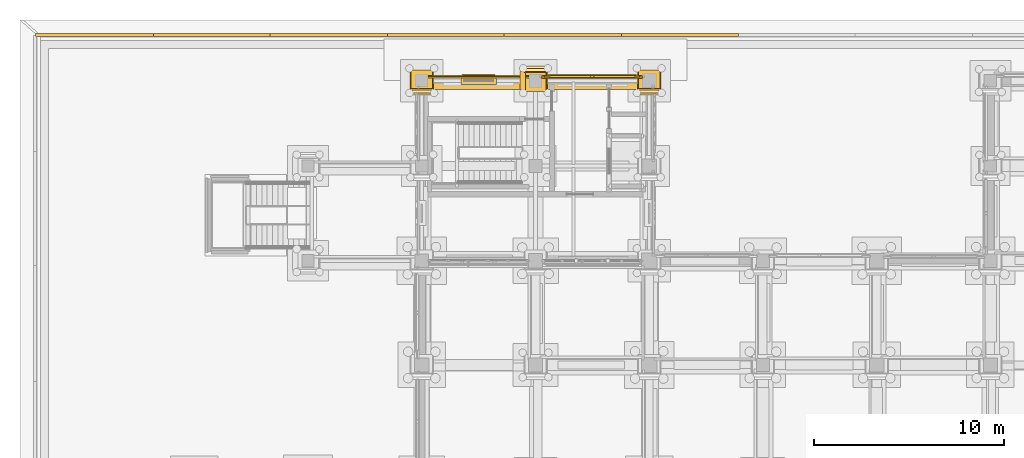
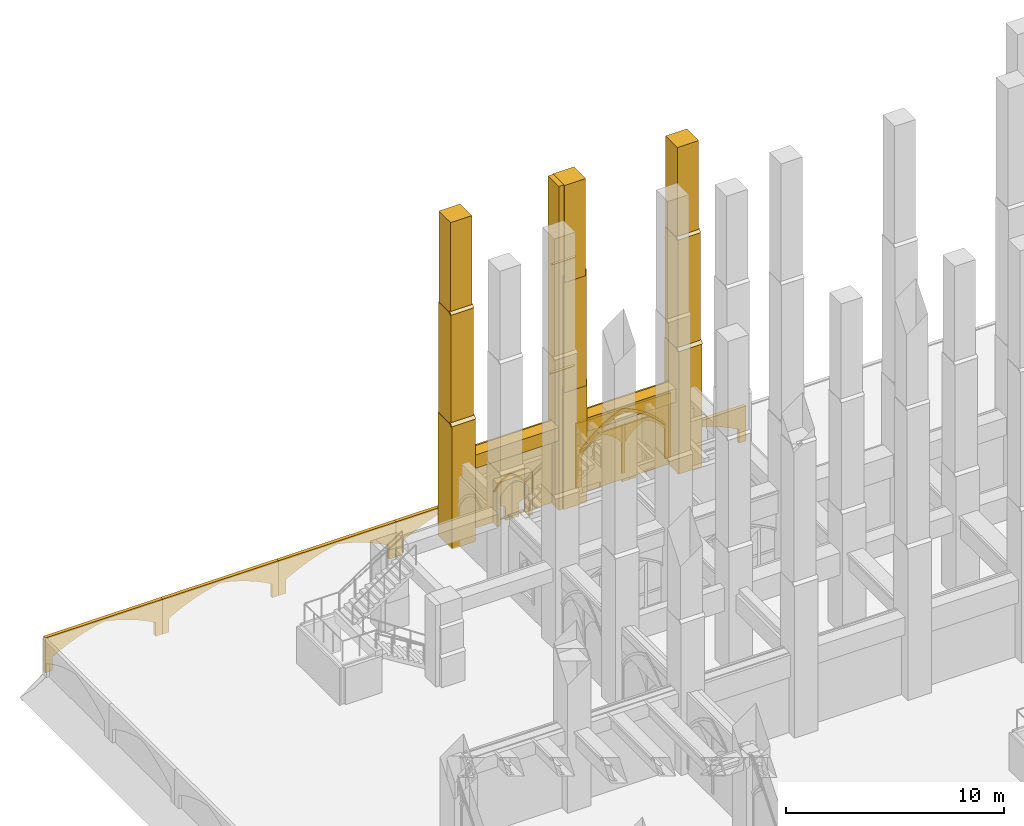
# One storey, part 121 of 135: 35 coverings.
"""IFC4 building model written with IfcOpenShell, lengths in metres."""

from ifc_helpers import new_model, si_unit, direction, frame, origin, origin_2d, place, context, subcontext, project, spatial, polyline, rectangle, outline, extrude, material, type_object, element, save


model = new_model("IFC4")

# Units and contexts
model_context = context("Model", 3, precision=1e-05, world=origin(), true_north=direction((0.0, 1.0)))
body_context = subcontext(model_context, "Body", "Model", "MODEL_VIEW")
ifc_project = project(units=[si_unit("LENGTHUNIT", "METRE"), si_unit("AREAUNIT", "SQUARE_METRE"), si_unit("VOLUMEUNIT", "CUBIC_METRE"), si_unit("PLANEANGLEUNIT", "RADIAN"), si_unit("MASSUNIT", "GRAM", prefix="KILO")], contexts=[model_context])

# Site, building, storey
site_placement = place(None, origin())
site = spatial("IfcSite", under=ifc_project, at=site_placement, CompositionType="ELEMENT")
building_placement = place(site_placement, origin())
building = spatial("IfcBuilding", under=site, at=building_placement, Name="Cumevento Cable Car Station", CompositionType="ELEMENT")
storey_placement = place(building_placement, origin())
storey = spatial("IfcBuildingStorey", under=building, at=storey_placement, Name="L01", CompositionType="ELEMENT", Elevation=0.0)

# Coverings
ifc_material = material(Name="Gnaisse Facoidal Stone Ashlar 85 MPa", Category="masonry")
covering_type = type_object("IfcCoveringType", Name="Gnaisse Ashlar Cladding CV-CL01", PredefinedType="CLADDING", material=ifc_material)
covering_1_placement = place(storey_placement, frame((22.0, 65.909912109375, -0.06005859375), z_axis=(0.0, 0.0, 1.0), x_axis=(1.0, 0.0, 0.0)))
element("IfcCovering", 1, at=covering_1_placement, inside=storey, type_object=covering_type, Name="Stepped Gothic Stone Buttress Tier 1 bt:22.0:66.0", PredefinedType="CLADDING", context=body_context, shape_type="SweptSolid", body=[
    extrude(rectangle(XDim=1.239990234375, YDim=1.300048828125, at=origin_2d()), origin(), (0.0, 0.0, 1.0), 6.885498046875),
])
covering_2_placement = place(storey_placement, frame((21.360107421875, 65.239990234375, 6.8056640625), z_axis=(0.0, -0.711135781079, 0.703054692658), x_axis=(1.0, 0.0, 0.0)))
element("IfcCovering", 2, at=covering_2_placement, inside=storey, type_object=covering_type, Name="Gothic Buttress Sloped Stone Weathering 1 bt:22.0:66.0", PredefinedType="CLADDING", context=body_context, shape_type="SweptSolid", body=[
    extrude(outline(polyline([(0.0, 0.0), (1.27978515625, 0.0), (1.27978515625, 0.24169083397703695), (0.0, 0.24169083397703695), (0.0, 0.0)])), origin(), (0.0, 0.0, -1.0), 0.090087890625),
])
covering_3_placement = place(storey_placement, frame((22.0, 65.969970703125, 6.46337890625), z_axis=(0.0, 0.0, 1.0), x_axis=(1.0, 0.0, 0.0)))
element("IfcCovering", 3, at=covering_3_placement, inside=storey, type_object=covering_type, Name="Stepped Gothic Stone Buttress Tier 2 bt:22.0:66.0", PredefinedType="CLADDING", context=body_context, shape_type="SweptSolid", body=[
    extrude(rectangle(XDim=1.179931640625, YDim=1.179931640625, at=origin_2d()), origin(), (0.0, 0.0, 1.0), 6.523193359375),
])
covering_4_placement = place(storey_placement, frame((21.389892578125, 65.360107421875, 12.96630859375), z_axis=(0.0, -0.714474823669, 0.699661151089), x_axis=(1.0, 0.0, 0.0)))
element("IfcCovering", 4, at=covering_4_placement, inside=storey, type_object=covering_type, Name="Gothic Buttress Sloped Stone Weathering 2 bt:22.0:66.0", PredefinedType="CLADDING", context=body_context, shape_type="SweptSolid", body=[
    extrude(outline(polyline([(0.0, 0.0), (1.22021484375, 0.0), (1.22021484375, 0.21424991728737655), (0.0, 0.21424991728737655), (0.0, 0.0)])), origin(), (0.0, 0.0, -1.0), 0.090087890625),
])
covering_5_placement = place(storey_placement, frame((22.0, 66.02001953125, 12.6240234375), z_axis=(0.0, 0.0, 1.0), x_axis=(1.0, 0.0, 0.0)))
element("IfcCovering", 5, at=covering_5_placement, inside=storey, type_object=covering_type, Name="Stepped Gothic Stone Buttress Tier 3 bt:22.0:66.0", PredefinedType="CLADDING", context=body_context, shape_type="SweptSolid", body=[
    extrude(rectangle(XDim=1.1201171875, YDim=1.080078125, at=origin_2d()), origin(), (0.0, 0.0, 1.0), 5.43603515625),
])
covering_6_placement = place(storey_placement, frame((28.0, 66.090087890625, -0.06005859375), z_axis=(0.0, 0.0, 1.0), x_axis=(-1.0, 0.0, 0.0)))
element("IfcCovering", 6, at=covering_6_placement, inside=storey, type_object=covering_type, Name="Stepped Gothic Stone Buttress Tier 1 bt:28.0:66.0", PredefinedType="CLADDING", context=body_context, shape_type="SweptSolid", body=[
    extrude(rectangle(XDim=1.239990234375, YDim=1.300048828125, at=origin_2d()), origin(), (0.0, 0.0, 1.0), 6.885498046875),
])
covering_7_placement = place(storey_placement, frame((28.639892578125, 66.760009765625, 6.8056640625), z_axis=(0.0, 0.711135781079, 0.703054692658), x_axis=(-1.0, 0.0, 0.0)))
element("IfcCovering", 7, at=covering_7_placement, inside=storey, type_object=covering_type, Name="Gothic Buttress Sloped Stone Weathering 1 bt:28.0:66.0", PredefinedType="CLADDING", context=body_context, shape_type="SweptSolid", body=[
    extrude(outline(polyline([(0.0, 0.0), (1.27978515625, 0.0), (1.27978515625, 0.24169083397703695), (0.0, 0.24169083397703695), (0.0, 0.0)])), origin(), (0.0, 0.0, -1.0), 0.090087890625),
])
covering_8_placement = place(storey_placement, frame((28.0, 66.030029296875, 6.46337890625), z_axis=(0.0, 0.0, 1.0), x_axis=(-1.0, 0.0, 0.0)))
element("IfcCovering", 8, at=covering_8_placement, inside=storey, type_object=covering_type, Name="Stepped Gothic Stone Buttress Tier 2 bt:28.0:66.0", PredefinedType="CLADDING", context=body_context, shape_type="SweptSolid", body=[
    extrude(rectangle(XDim=1.179931640625, YDim=1.179931640625, at=origin_2d()), origin(), (0.0, 0.0, 1.0), 6.523193359375),
])
covering_9_placement = place(storey_placement, frame((28.610107421875, 66.639892578125, 12.96630859375), z_axis=(0.0, 0.714474823669, 0.699661151089), x_axis=(-1.0, 0.0, 0.0)))
element("IfcCovering", 9, at=covering_9_placement, inside=storey, type_object=covering_type, Name="Gothic Buttress Sloped Stone Weathering 2 bt:28.0:66.0", PredefinedType="CLADDING", context=body_context, shape_type="SweptSolid", body=[
    extrude(outline(polyline([(0.0, 0.0), (1.22021484375, 0.0), (1.22021484375, 0.21424991728737655), (0.0, 0.21424991728737655), (0.0, 0.0)])), origin(), (0.0, 0.0, -1.0), 0.090087890625),
])
covering_10_placement = place(storey_placement, frame((28.0, 65.97998046875, 12.6240234375), z_axis=(0.0, 0.0, 1.0), x_axis=(-1.0, 0.0, 0.0)))
element("IfcCovering", 10, at=covering_10_placement, inside=storey, type_object=covering_type, Name="Stepped Gothic Stone Buttress Tier 3 bt:28.0:66.0", PredefinedType="CLADDING", context=body_context, shape_type="SweptSolid", body=[
    extrude(rectangle(XDim=1.1201171875, YDim=1.080078125, at=origin_2d()), origin(), (0.0, 0.0, 1.0), 5.43603515625),
])
covering_11_placement = place(storey_placement, frame((27.320068359375, 66.0, -0.06005859375), z_axis=(0.0, 0.0, 1.0), x_axis=(1.0, 0.0, 0.0)))
element("IfcCovering", 11, at=covering_11_placement, inside=storey, type_object=covering_type, Name="Corner Buttress Stone Return (28.0,66.0)", PredefinedType="CLADDING", context=body_context, shape_type="SweptSolid", body=[
    extrude(rectangle(XDim=0.280029296875, YDim=0.97998046875, at=origin_2d()), origin(), (0.0, 0.0, 1.0), 18.1201171875),
])
covering_12_placement = place(storey_placement, frame((34.0, 65.909912109375, -0.06005859375), z_axis=(0.0, 0.0, 1.0), x_axis=(1.0, 0.0, 0.0)))
element("IfcCovering", 12, at=covering_12_placement, inside=storey, type_object=covering_type, Name="Stepped Gothic Stone Buttress Tier 1 bt:34.0:66.0", PredefinedType="CLADDING", context=body_context, shape_type="SweptSolid", body=[
    extrude(rectangle(XDim=1.239990234375, YDim=1.300048828125, at=origin_2d()), origin(), (0.0, 0.0, 1.0), 6.885498046875),
])
covering_13_placement = place(storey_placement, frame((33.360107421875, 65.239990234375, 6.8056640625), z_axis=(0.0, -0.711135781079, 0.703054692658), x_axis=(1.0, 0.0, 0.0)))
element("IfcCovering", 13, at=covering_13_placement, inside=storey, type_object=covering_type, Name="Gothic Buttress Sloped Stone Weathering 1 bt:34.0:66.0", PredefinedType="CLADDING", context=body_context, shape_type="SweptSolid", body=[
    extrude(outline(polyline([(0.0, 0.0), (1.27978515625, 0.0), (1.27978515625, 0.24169083397703695), (0.0, 0.24169083397703695), (0.0, 0.0)])), origin(), (0.0, 0.0, -1.0), 0.090087890625),
])
covering_14_placement = place(storey_placement, frame((34.0, 65.969970703125, 6.46337890625), z_axis=(0.0, 0.0, 1.0), x_axis=(1.0, 0.0, 0.0)))
element("IfcCovering", 14, at=covering_14_placement, inside=storey, type_object=covering_type, Name="Stepped Gothic Stone Buttress Tier 2 bt:34.0:66.0", PredefinedType="CLADDING", context=body_context, shape_type="SweptSolid", body=[
    extrude(rectangle(XDim=1.179931640625, YDim=1.179931640625, at=origin_2d()), origin(), (0.0, 0.0, 1.0), 6.523193359375),
])
covering_15_placement = place(storey_placement, frame((33.389892578125, 65.360107421875, 12.96630859375), z_axis=(0.0, -0.714474823669, 0.699661151089), x_axis=(1.0, 0.0, 0.0)))
element("IfcCovering", 15, at=covering_15_placement, inside=storey, type_object=covering_type, Name="Gothic Buttress Sloped Stone Weathering 2 bt:34.0:66.0", PredefinedType="CLADDING", context=body_context, shape_type="SweptSolid", body=[
    extrude(outline(polyline([(0.0, 0.0), (1.22021484375, 0.0), (1.22021484375, 0.21424991728737655), (0.0, 0.21424991728737655), (0.0, 0.0)])), origin(), (0.0, 0.0, -1.0), 0.090087890625),
])
covering_16_placement = place(storey_placement, frame((34.0, 66.02001953125, 12.6240234375), z_axis=(0.0, 0.0, 1.0), x_axis=(1.0, 0.0, 0.0)))
element("IfcCovering", 16, at=covering_16_placement, inside=storey, type_object=covering_type, Name="Stepped Gothic Stone Buttress Tier 3 bt:34.0:66.0", PredefinedType="CLADDING", context=body_context, shape_type="SweptSolid", body=[
    extrude(rectangle(XDim=1.1201171875, YDim=1.080078125, at=origin_2d()), origin(), (0.0, 0.0, 1.0), 5.43603515625),
])
covering_17_placement = place(storey_placement, frame((24.987548828125, 65.85009765625, 3.821044921875), z_axis=(0.0, 0.0, 1.0), x_axis=(1.0, 0.0, 0.0)))
element("IfcCovering", 17, at=covering_17_placement, inside=storey, type_object=covering_type, Name="Gothic Stone Spandrel Stringcourse sc:0103", PredefinedType="CLADDING", context=body_context, shape_type="SweptSolid", body=[
    extrude(rectangle(XDim=5.56494140625, YDim=0.659912109375, at=origin_2d()), origin(), (0.0, 0.0, 1.0), 0.7470703125),
])
covering_18_placement = place(storey_placement, frame((24.987548828125, 66.20751953125, 4.43798828125), z_axis=(0.0, 0.0, 1.0), x_axis=(1.0, 0.0, 0.0)))
element("IfcCovering", 18, at=covering_18_placement, inside=storey, type_object=covering_type, Name="Gothic Cornice Dripstone Lip sc:0103", PredefinedType="CLADDING", context=body_context, shape_type="SweptSolid", body=[
    extrude(rectangle(XDim=5.60498046875, YDim=0.114990234375, at=origin_2d()), origin(), (0.0, 0.0, 1.0), 0.1298828125),
])
covering_19_placement = place(storey_placement, frame((30.987548828125, 65.85009765625, 3.821044921875), z_axis=(0.0, 0.0, 1.0), x_axis=(1.0, 0.0, 0.0)))
element("IfcCovering", 19, at=covering_19_placement, inside=storey, type_object=covering_type, Name="Gothic Stone Spandrel Stringcourse sc:0104", PredefinedType="CLADDING", context=body_context, shape_type="SweptSolid", body=[
    extrude(rectangle(XDim=5.514892578125, YDim=0.659912109375, at=origin_2d()), origin(), (0.0, 0.0, 1.0), 0.7470703125),
])
covering_20_placement = place(storey_placement, frame((30.987548828125, 66.20751953125, 4.43798828125), z_axis=(0.0, 0.0, 1.0), x_axis=(1.0, 0.0, 0.0)))
element("IfcCovering", 20, at=covering_20_placement, inside=storey, type_object=covering_type, Name="Gothic Cornice Dripstone Lip sc:0104", PredefinedType="CLADDING", context=body_context, shape_type="SweptSolid", body=[
    extrude(rectangle(XDim=5.554931640625, YDim=0.114990234375, at=origin_2d()), origin(), (0.0, 0.0, 1.0), 0.1298828125),
])
covering_21_placement = place(storey_placement, frame((22.324951171875, 66.0, 0.0), z_axis=(0.0, 0.0, 1.0), x_axis=(1.0, 0.0, 0.0)))
element("IfcCovering", 21, at=covering_21_placement, inside=storey, type_object=covering_type, Name="Exterior Gnaisse Stone Wall Ashlar #150", PredefinedType="CLADDING", context=body_context, shape_type="SweptSolid", body=[
    extrude(outline(polyline([(-0.0400390625, -0.02001953125), (5.364990234375, -0.02001953125), (5.364990234375, 3.90087890625), (-0.0400390625, 3.90087890625), (-0.0400390625, -0.02001953125)]), holes=[polyline([(1.925048828125, 0.02001953125), (3.425048828125, 0.02001953125), (3.425048828125, 2.14990234375), (1.925048828125, 2.14990234375), (1.925048828125, 0.02001953125)])]), frame((0.0, 0.222412109375, 0.0), z_axis=(0.0, -1.0, 0.0), x_axis=(1.0, 0.0, 0.0)), (0.0, 0.0, 1.0), 0.0849609375),
])
covering_22_placement = place(storey_placement, frame((24.10009765625, 66.0, -0.050048828125), z_axis=(0.0, 0.0, 1.0), x_axis=(1.0, 0.0, 0.0)))
element("IfcCovering", 22, at=covering_22_placement, inside=storey, type_object=covering_type, Name="Gothic Ogival Pointed-Arch Stone Spandrel op_ogival:0150:1", PredefinedType="CLADDING", context=body_context, shape_type="SweptSolid", body=[
    extrude(outline(polyline([(-0.0400390625, 0.0), (-0.0400390625, 2.429931640625), (1.840087890625, 2.429931640625), (1.840087890625, 0.0), (1.659912109375, 0.0), (1.659912109375, 1.605224609375), (1.57958984375, 1.7255859375), (1.488037109375, 1.838134765625), (1.38671875, 1.94140625), (1.2763671875, 2.03515625), (1.15771484375, 2.118408203125), (1.031982421875, 2.190185546875), (0.89990234375, 2.25), (0.76806640625, 2.190185546875), (0.642333984375, 2.118408203125), (0.523681640625, 2.03515625), (0.413330078125, 1.94140625), (0.31201171875, 1.838134765625), (0.220458984375, 1.7255859375), (0.139892578125, 1.605224609375), (0.139892578125, 0.0), (-0.0400390625, 0.0)])), frame((0.0, 0.260498046875, 0.0), z_axis=(0.0, -1.0, 0.0), x_axis=(1.0, 0.0, 0.0)), (0.0, 0.0, 1.0), 0.47509765625),
])
covering_23_placement = place(storey_placement, frame((24.10009765625, 66.0, 1.55517578125), z_axis=(0.0, 0.0, 1.0), x_axis=(1.0, 0.0, 0.0)))
element("IfcCovering", 23, at=covering_23_placement, inside=storey, type_object=covering_type, Name="Gothic Pointed Archivolt Hood Moulding op_ogival:0150:1", PredefinedType="CLADDING", context=body_context, shape_type="SweptSolid", body=[
    extrude(outline(polyline([(0.139892578125, 0.0), (0.220458984375, 0.120361328125), (0.31201171875, 0.23291015625), (0.413330078125, 0.336181640625), (0.523681640625, 0.429931640625), (0.642333984375, 0.51318359375), (0.76806640625, 0.5849609375), (0.89990234375, 0.644775390625), (1.031982421875, 0.5849609375), (1.15771484375, 0.51318359375), (1.2763671875, 0.429931640625), (1.38671875, 0.336181640625), (1.488037109375, 0.23291015625), (1.57958984375, 0.120361328125), (1.659912109375, 0.0), (1.759033203125, 0.0), (1.6708984375, 0.142822265625), (1.569580078125, 0.2763671875), (1.455810546875, 0.399658203125), (1.330810546875, 0.511474609375), (1.19580078125, 0.61083984375), (1.0517578125, 0.69677734375), (0.89990234375, 0.7685546875), (0.748291015625, 0.69677734375), (0.604248046875, 0.61083984375), (0.46923828125, 0.511474609375), (0.34423828125, 0.399658203125), (0.23046875, 0.2763671875), (0.129150390625, 0.142822265625), (0.041015625, 0.0), (0.139892578125, 0.0)])), frame((0.0, 0.302490234375, 0.0), z_axis=(0.0, -1.0, 0.0), x_axis=(1.0, 0.0, 0.0)), (0.0, 0.0, 1.0), 0.06689453125),
])
covering_24_placement = place(storey_placement, frame((28.35009765625, 66.0, 0.0), z_axis=(0.0, 0.0, 1.0), x_axis=(1.0, 0.0, 0.0)))
element("IfcCovering", 24, at=covering_24_placement, inside=storey, type_object=covering_type, Name="Exterior Gnaisse Stone Wall Ashlar #151", PredefinedType="CLADDING", context=body_context, shape_type="SweptSolid", body=[
    extrude(outline(polyline([(-0.0400390625, -0.02001953125), (5.31494140625, -0.02001953125), (5.31494140625, 3.90087890625), (-0.0400390625, 3.90087890625), (-0.0400390625, -0.02001953125)])), frame((0.0, 0.222412109375, 0.0), z_axis=(0.0, -1.0, 0.0), x_axis=(1.0, 0.0, 0.0)), (0.0, 0.0, 1.0), 0.0849609375),
])
placement = place(storey_placement, frame((28.530029296875, 66.0, 0.300048828125), z_axis=(0.0, 0.0, 1.0), x_axis=(1.0, 0.0, 0.0)))
element("IfcCovering", 25, at=placement, inside=storey, type_object=covering_type, Name="Gothic Ogival Pointed-Arch Stone Spandrel blind_ogival:0151", PredefinedType="CLADDING", context=body_context, shape_type="SweptSolid", body=[
    extrude(outline(polyline([(-0.050048828125, 0.0), (-0.050048828125, 3.62109375), (4.965087890625, 3.62109375), (4.965087890625, 0.0), (4.655029296875, 0.0), (4.655029296875, 1.873291015625), (4.398681640625, 2.163330078125), (4.119873046875, 2.43212890625), (3.820556640625, 2.677978515625), (3.50244140625, 2.89892578125), (3.16796875, 3.093994140625), (2.81884765625, 3.26171875), (2.45751953125, 3.40087890625), (2.09619140625, 3.26171875), (1.7470703125, 3.093994140625), (1.41259765625, 2.89892578125), (1.094482421875, 2.677978515625), (0.795166015625, 2.43212890625), (0.516357421875, 2.163330078125), (0.260009765625, 1.873291015625), (0.260009765625, 0.0), (-0.050048828125, 0.0)])), frame((0.0, 0.277587890625, 0.0), z_axis=(0.0, -1.0, 0.0), x_axis=(1.0, 0.0, 0.0)), (0.0, 0.0, 1.0), 0.110107421875),
])
covering_26_placement = place(storey_placement, frame((28.530029296875, 66.0, 2.17333984375), z_axis=(0.0, 0.0, 1.0), x_axis=(1.0, 0.0, 0.0)))
element("IfcCovering", 26, at=covering_26_placement, inside=storey, type_object=covering_type, Name="Gothic Pointed Archivolt Hood Moulding blind_ogival:0151", PredefinedType="CLADDING", context=body_context, shape_type="SweptSolid", body=[
    extrude(outline(polyline([(0.260009765625, 0.0), (0.516357421875, 0.2900390625), (0.795166015625, 0.558837890625), (1.094482421875, 0.8046875), (1.41259765625, 1.025634765625), (1.7470703125, 1.220703125), (2.09619140625, 1.388427734375), (2.45751953125, 1.527587890625), (2.81884765625, 1.388427734375), (3.16796875, 1.220703125), (3.50244140625, 1.025634765625), (3.820556640625, 0.8046875), (4.119873046875, 0.558837890625), (4.398681640625, 0.2900390625), (4.655029296875, 0.0), (4.77587890625, 0.0), (4.510009765625, 0.31787109375), (4.218505859375, 0.61279296875), (3.904052734375, 0.882568359375), (3.568359375, 1.125732421875), (3.213623046875, 1.340576171875), (2.842529296875, 1.525146484375), (2.45751953125, 1.678955078125), (2.072509765625, 1.525146484375), (1.701416015625, 1.340576171875), (1.3466796875, 1.125732421875), (1.010986328125, 0.882568359375), (0.696533203125, 0.61279296875), (0.405029296875, 0.31787109375), (0.138916015625, 0.0), (0.260009765625, 0.0)])), frame((0.0, 0.319580078125, 0.0), z_axis=(0.0, -1.0, 0.0), x_axis=(1.0, 0.0, 0.0)), (0.0, 0.0, 1.0), 0.06689453125),
])
element("IfcCovering", 27, at=placement, inside=storey, type_object=covering_type, Name="Gothic Bifora Stone Colonnette blind_ogival:0151 #1", PredefinedType="CLADDING", context=body_context, shape_type="SweptSolid", body=[
    extrude(outline(polyline([(2.382568359375, -0.02001953125), (2.532470703125, -0.02001953125), (2.532470703125, 2.667724609375), (2.382568359375, 2.667724609375), (2.382568359375, -0.02001953125)])), frame((0.0, 0.265380859375, 0.0), z_axis=(0.0, -1.0, 0.0), x_axis=(1.0, 0.0, 0.0)), (0.0, 0.0, 1.0), 0.094970703125),
])
for number, where, z_axis, x_axis, name in (
    (28, (28.760009765625, 66.0, 1.993408203125), (0.0, 0.0, 1.0), (1.0, 0.0, 0.0), "Gothic Ogival Pointed-Arch Stone Spandrel blind_ogival:0151:sub:0"),
    (29, (31.032470703125, 66.0, 1.993408203125), (0.0, 0.0, 1.0), (1.0, 0.0, 0.0), "Gothic Ogival Pointed-Arch Stone Spandrel blind_ogival:0151:sub:1"),
):
    element("IfcCovering", number, at=place(storey_placement, frame(where, z_axis=z_axis, x_axis=x_axis)), inside=storey, type_object=covering_type, Name=name, PredefinedType="CLADDING", context=body_context, shape_type="SweptSolid", body=[
        extrude(outline(polyline([(-0.02001953125, 0.0), (-0.02001953125, 0.974365234375), (2.202392578125, 0.974365234375), (2.202392578125, 0.0), (2.142578125, 0.0), (2.008056640625, 0.185791015625), (1.854736328125, 0.356689453125), (1.6845703125, 0.510498046875), (1.499267578125, 0.6455078125), (1.30078125, 0.7607421875), (1.09130859375, 0.8544921875), (0.8818359375, 0.7607421875), (0.683349609375, 0.6455078125), (0.498046875, 0.510498046875), (0.327880859375, 0.356689453125), (0.174560546875, 0.185791015625), (0.0400390625, 0.0), (-0.02001953125, 0.0)])), frame((0.0, 0.261474609375, 0.0), z_axis=(0.0, -1.0, 0.0), x_axis=(1.0, 0.0, 0.0)), (0.0, 0.0, 1.0), 0.090087890625),
    ])
for number, where, z_axis, x_axis, name in (
    (30, (32.520263671875, 68.35009765625, -1.919921875), (0.0, 0.0, 1.0), (1.0, 0.0, 0.0), "Gothic Ogival Pointed-Arch Stone Spandrel cumevento_plinth:plinth_arch:N:21"),
    (31, (26.34619140625, 68.35009765625, -1.919921875), (0.0, 0.0, 1.0), (1.0, 0.0, 0.0), "Gothic Ogival Pointed-Arch Stone Spandrel cumevento_plinth:plinth_arch:N:22"),
    (32, (20.172119140625, 68.35009765625, -1.919921875), (0.0, 0.0, 1.0), (1.0, 0.0, 0.0), "Gothic Ogival Pointed-Arch Stone Spandrel cumevento_plinth:plinth_arch:N:23"),
    (33, (13.998046875, 68.35009765625, -1.919921875), (0.0, 0.0, 1.0), (1.0, 0.0, 0.0), "Gothic Ogival Pointed-Arch Stone Spandrel cumevento_plinth:plinth_arch:N:24"),
    (34, (7.823974609375, 68.35009765625, -1.919921875), (0.0, 0.0, 1.0), (1.0, 0.0, 0.0), "Gothic Ogival Pointed-Arch Stone Spandrel cumevento_plinth:plinth_arch:N:25"),
    (35, (1.64990234375, 68.35009765625, -1.919921875), (0.0, 0.0, 1.0), (1.0, 0.0, 0.0), "Gothic Ogival Pointed-Arch Stone Spandrel cumevento_plinth:plinth_arch:N:26"),
):
    element("IfcCovering", number, at=place(storey_placement, frame(where, z_axis=z_axis, x_axis=x_axis)), inside=storey, type_object=covering_type, Name=name, PredefinedType="CLADDING", context=body_context, shape_type="SweptSolid", body=[
        extrude(outline(polyline([(-0.02001953125, 0.0), (-0.02001953125, 1.9599609375), (6.194091796875, 1.9599609375), (6.194091796875, 0.0), (5.81396484375, 0.0), (5.81396484375, 0.77001953125), (5.3857421875, 1.00390625), (4.945068359375, 1.213623046875), (4.493408203125, 1.3984375), (4.0322265625, 1.558349609375), (3.56298828125, 1.692138671875), (3.087158203125, 1.800048828125), (2.611083984375, 1.692138671875), (2.141845703125, 1.558349609375), (1.6806640625, 1.3984375), (1.22900390625, 1.213623046875), (0.788330078125, 1.00390625), (0.360107421875, 0.77001953125), (0.360107421875, 0.0), (-0.02001953125, 0.0)])), frame((0.0, 0.14990234375, 0.0), z_axis=(0.0, -1.0, 0.0), x_axis=(1.0, 0.0, 0.0)), (0.0, 0.0, 1.0), 0.179931640625),
    ])

save(model, "model.ifc")
